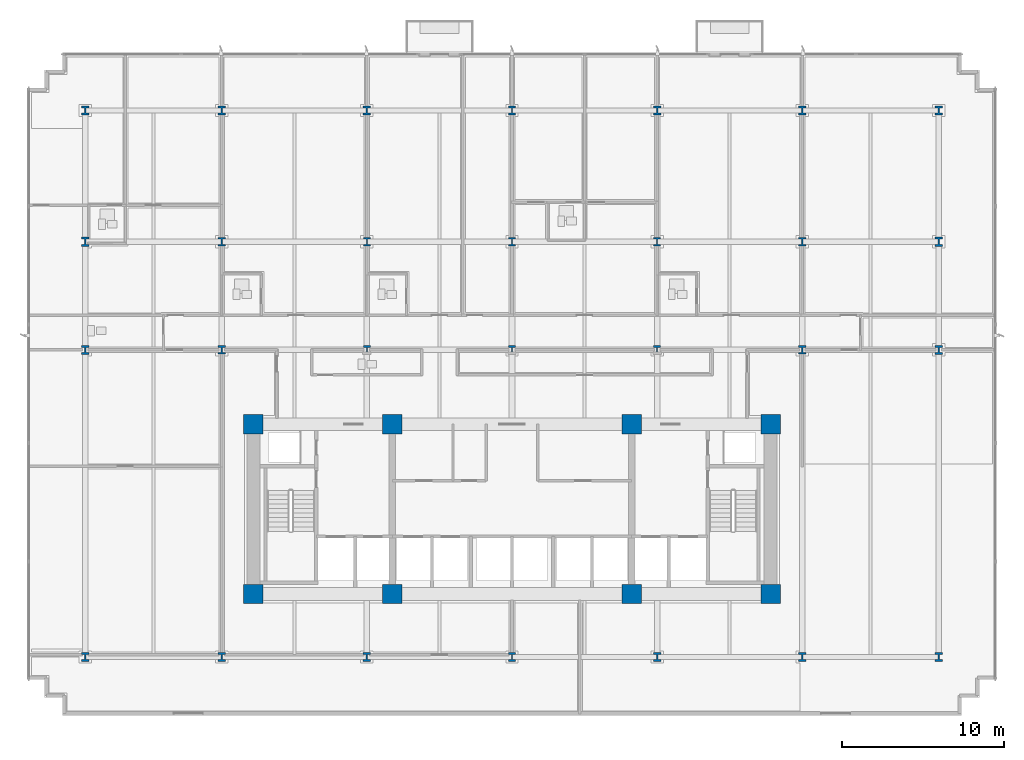
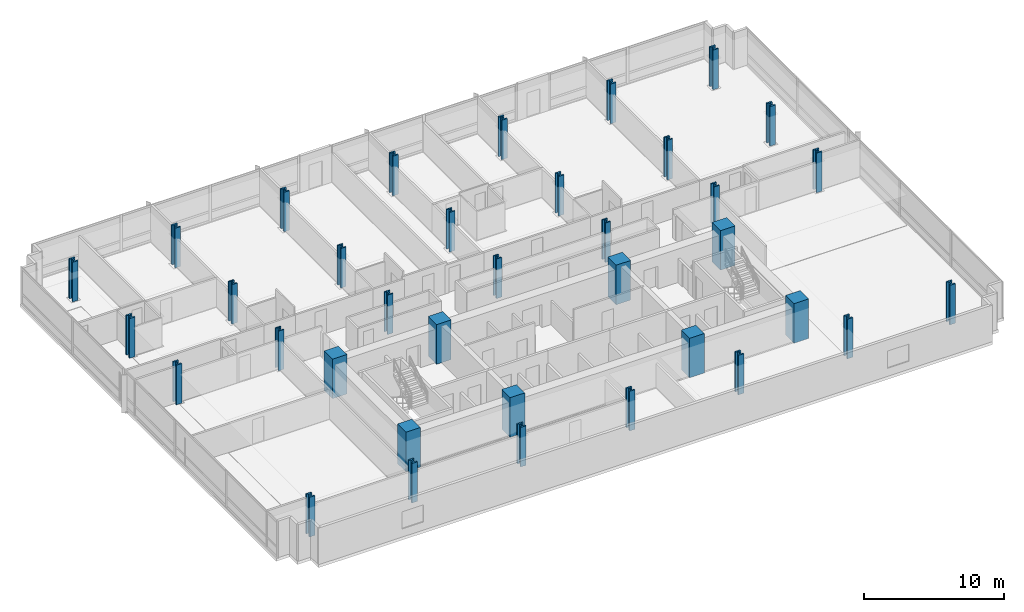
# One storey, part 1 of 16: 36 columns.
"""IFC4 building model written with IfcOpenShell, lengths in metres."""

from ifc_helpers import new_model, si_unit, direction, frame, origin, origin_2d, place, context, subcontext, project, spatial, rectangle, i_section, extrude, material, material_profile, profile_set, type_object, element, save


model = new_model("IFC4")

# Units and contexts
model_context = context("Model", 3, precision=1e-05, world=origin(), true_north=direction((0.0, 1.0)))
body_context = subcontext(model_context, "Body", "Model", "MODEL_VIEW")
ifc_project = project(units=[si_unit("LENGTHUNIT", "METRE"), si_unit("AREAUNIT", "SQUARE_METRE"), si_unit("VOLUMEUNIT", "CUBIC_METRE"), si_unit("PLANEANGLEUNIT", "RADIAN"), si_unit("MASSUNIT", "GRAM", prefix="KILO")], contexts=[model_context])

# Site, building, storey
site_placement = place(None, origin())
site = spatial("IfcSite", under=ifc_project, at=site_placement, CompositionType="ELEMENT")
building_placement = place(site_placement, origin())
building = spatial("IfcBuilding", under=site, at=building_placement, Name="Solmavex Isthmus Hotel", CompositionType="ELEMENT")
storey_placement = place(building_placement, frame((0.0, 0.0, 36.75)))
storey = spatial("IfcBuildingStorey", under=building, at=storey_placement, Name="L09", CompositionType="ELEMENT", Elevation=36.75)

# Columns
ifc_material_1 = material(Name="Concrete C70/85", Category="concrete")
ifc_material_profile_1 = material_profile(ifc_material_1, rectangle(XDim=1.199951171875, YDim=1.199951171875, at=origin_2d()), Name="RC1200X1200")
ifc_profile_set_1 = profile_set([ifc_material_profile_1], Name="Concrete C70/85")
column_type_1 = type_object("IfcColumnType", Name="COL-CC-1200", PredefinedType="COLUMN", material=ifc_profile_set_1)
for number, where, z_axis, x_axis, name in (
    (1, (-16.0, -13.0, 0.0), (0.0, 0.0, 1.0), (1.0, 0.0, 0.0), "Core Pilaster CC-SW L09"),
    (2, (-7.39990234375, -13.0, 0.0), (0.0, 0.0, 1.0), (1.0, 0.0, 0.0), "Core Pilaster CC-S1 L09"),
    (3, (7.39990234375, -13.0, 0.0), (0.0, 0.0, 1.0), (1.0, 0.0, 0.0), "Core Pilaster CC-S2 L09"),
    (4, (16.0, -13.0, 0.0), (0.0, 0.0, 1.0), (1.0, 0.0, 0.0), "Core Pilaster CC-SE L09"),
    (5, (-16.0, -2.5, 0.0), (0.0, 0.0, 1.0), (1.0, 0.0, 0.0), "Core Pilaster CC-NW L09"),
    (6, (-7.39990234375, -2.5, 0.0), (0.0, 0.0, 1.0), (1.0, 0.0, 0.0), "Core Pilaster CC-N1 L09"),
    (7, (7.39990234375, -2.5, 0.0), (0.0, 0.0, 1.0), (1.0, 0.0, 0.0), "Core Pilaster CC-N2 L09"),
    (8, (16.0, -2.5, 0.0), (0.0, 0.0, 1.0), (1.0, 0.0, 0.0), "Core Pilaster CC-NE L09"),
):
    element("IfcColumn", number, at=place(storey_placement, frame(where, z_axis=z_axis, x_axis=x_axis)), inside=storey, type_object=column_type_1, Name=name, PredefinedType="COLUMN", context=body_context, shape_type="SweptSolid", body=[
        extrude(rectangle(XDim=1.199951171875, YDim=1.199951171875, at=origin_2d()), origin(), (0.0, 0.0, 1.0), 3.449951171875),
    ])
ifc_material_2 = material(Name="Steel ASTM A913 Grade 65", Category="steel")
ifc_material_profile_2 = material_profile(ifc_material_2, i_section(OverallWidth=0.442138671875, OverallDepth=0.531494140625, WebThickness=0.06591796875, FlangeThickness=0.105712890625, FilletRadius=0.030517578125, at=origin_2d()), Name="W14X605")
ifc_profile_set_2 = profile_set([ifc_material_profile_2], Name="Steel ASTM A913 Grade 65")
column_type_2 = type_object("IfcColumnType", Name="COL-SC-W14X605", PredefinedType="COLUMN", material=ifc_profile_set_2)
for number, where, z_axis, x_axis, name in (
    (9, (-17.951904296875, 2.10009765625, 0.0), (0.0, 0.0, 1.0), (1.0, 0.0, 0.0), "Tower Column B1-U2V2 L09"),
    (10, (-17.951904296875, 8.7880859375, 0.0), (0.0, 0.0, 1.0), (1.0, 0.0, 0.0), "Tower Column B1-U2V3 L09"),
    (11, (-8.97607421875, 2.10009765625, 0.0), (0.0, 0.0, 1.0), (1.0, 0.0, 0.0), "Tower Column B1-U3V2 L09"),
    (12, (-8.97607421875, 8.7880859375, 0.0), (0.0, 0.0, 1.0), (1.0, 0.0, 0.0), "Tower Column B1-U3V3 L09"),
    (13, (0.0, 2.10009765625, 0.0), (0.0, 0.0, 1.0), (1.0, 0.0, 0.0), "Tower Column B1-U4V2 L09"),
    (14, (0.0, 8.7880859375, 0.0), (0.0, 0.0, 1.0), (1.0, 0.0, 0.0), "Tower Column B1-U4V3 L09"),
    (15, (8.97607421875, 2.10009765625, 0.0), (0.0, 0.0, 1.0), (1.0, 0.0, 0.0), "Tower Column B1-U5V2 L09"),
    (16, (8.97607421875, 8.7880859375, 0.0), (0.0, 0.0, 1.0), (1.0, 0.0, 0.0), "Tower Column B1-U5V3 L09"),
    (17, (17.951904296875, 2.10009765625, 0.0), (0.0, 0.0, 1.0), (1.0, 0.0, 0.0), "Tower Column B1-U6V2 L09"),
    (18, (17.951904296875, 8.7880859375, 0.0), (0.0, 0.0, 1.0), (1.0, 0.0, 0.0), "Tower Column B1-U6V3 L09"),
):
    element("IfcColumn", number, at=place(storey_placement, frame(where, z_axis=z_axis, x_axis=x_axis)), inside=storey, type_object=column_type_2, Name=name, PredefinedType="COLUMN", context=body_context, shape_type="SweptSolid", body=[
        extrude(i_section(OverallWidth=0.442138671875, OverallDepth=0.531494140625, WebThickness=0.06591796875, FlangeThickness=0.105712890625, FilletRadius=0.030517578125, at=origin_2d()), origin(), (0.0, 0.0, 1.0), 3.449951171875),
    ])
ifc_material_profile_3 = material_profile(ifc_material_2, i_section(OverallWidth=0.454345703125, OverallDepth=0.569091796875, WebThickness=0.077880859375, FlangeThickness=0.124755859375, FilletRadius=0.030517578125, at=origin_2d()), Name="W14X730")
ifc_profile_set_3 = profile_set([ifc_material_profile_3], Name="Steel ASTM A913 Grade 65")
column_type_3 = type_object("IfcColumnType", Name="COL-SC-W14X730", PredefinedType="COLUMN", material=ifc_profile_set_3)
for number, where, z_axis, x_axis, name in (
    (19, (-26.39990234375, -16.89990234375, 0.0), (0.0, 0.0, 1.0), (1.0, 0.0, 0.0), "Tower Column B1-U1V1 L09"),
    (20, (-26.39990234375, 2.10009765625, 0.0), (0.0, 0.0, 1.0), (1.0, 0.0, 0.0), "Tower Column B1-U1V2 L09"),
    (21, (-26.39990234375, 8.7880859375, 0.0), (0.0, 0.0, 1.0), (1.0, 0.0, 0.0), "Tower Column B1-U1V3 L09"),
    (22, (-26.39990234375, 16.89990234375, 0.0), (0.0, 0.0, 1.0), (1.0, 0.0, 0.0), "Tower Column B1-U1V4 L09"),
    (23, (-17.951904296875, -16.89990234375, 0.0), (0.0, 0.0, 1.0), (1.0, 0.0, 0.0), "Tower Column B1-U2V1 L09"),
    (24, (-17.951904296875, 16.89990234375, 0.0), (0.0, 0.0, 1.0), (1.0, 0.0, 0.0), "Tower Column B1-U2V4 L09"),
    (25, (-8.97607421875, -16.89990234375, 0.0), (0.0, 0.0, 1.0), (1.0, 0.0, 0.0), "Tower Column B1-U3V1 L09"),
    (26, (-8.97607421875, 16.89990234375, 0.0), (0.0, 0.0, 1.0), (1.0, 0.0, 0.0), "Tower Column B1-U3V4 L09"),
    (27, (0.0, -16.89990234375, 0.0), (0.0, 0.0, 1.0), (1.0, 0.0, 0.0), "Tower Column B1-U4V1 L09"),
    (28, (0.0, 16.89990234375, 0.0), (0.0, 0.0, 1.0), (1.0, 0.0, 0.0), "Tower Column B1-U4V4 L09"),
    (29, (8.97607421875, -16.89990234375, 0.0), (0.0, 0.0, 1.0), (1.0, 0.0, 0.0), "Tower Column B1-U5V1 L09"),
    (30, (8.97607421875, 16.89990234375, 0.0), (0.0, 0.0, 1.0), (1.0, 0.0, 0.0), "Tower Column B1-U5V4 L09"),
    (31, (17.951904296875, -16.89990234375, 0.0), (0.0, 0.0, 1.0), (1.0, 0.0, 0.0), "Tower Column B1-U6V1 L09"),
    (32, (17.951904296875, 16.89990234375, 0.0), (0.0, 0.0, 1.0), (1.0, 0.0, 0.0), "Tower Column B1-U6V4 L09"),
    (33, (26.39990234375, -16.89990234375, 0.0), (0.0, 0.0, 1.0), (1.0, 0.0, 0.0), "Tower Column B1-U7V1 L09"),
    (34, (26.39990234375, 2.10009765625, 0.0), (0.0, 0.0, 1.0), (1.0, 0.0, 0.0), "Tower Column B1-U7V2 L09"),
    (35, (26.39990234375, 8.7880859375, 0.0), (0.0, 0.0, 1.0), (1.0, 0.0, 0.0), "Tower Column B1-U7V3 L09"),
    (36, (26.39990234375, 16.89990234375, 0.0), (0.0, 0.0, 1.0), (1.0, 0.0, 0.0), "Tower Column B1-U7V4 L09"),
):
    element("IfcColumn", number, at=place(storey_placement, frame(where, z_axis=z_axis, x_axis=x_axis)), inside=storey, type_object=column_type_3, Name=name, PredefinedType="COLUMN", context=body_context, shape_type="SweptSolid", body=[
        extrude(i_section(OverallWidth=0.454345703125, OverallDepth=0.569091796875, WebThickness=0.077880859375, FlangeThickness=0.124755859375, FilletRadius=0.030517578125, at=origin_2d()), origin(), (0.0, 0.0, 1.0), 3.449951171875),
    ])

save(model, "model.ifc")
